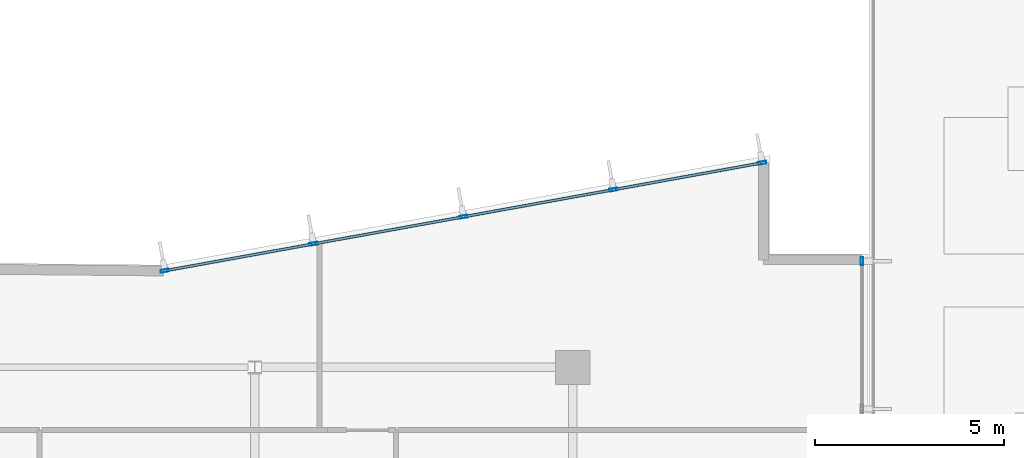
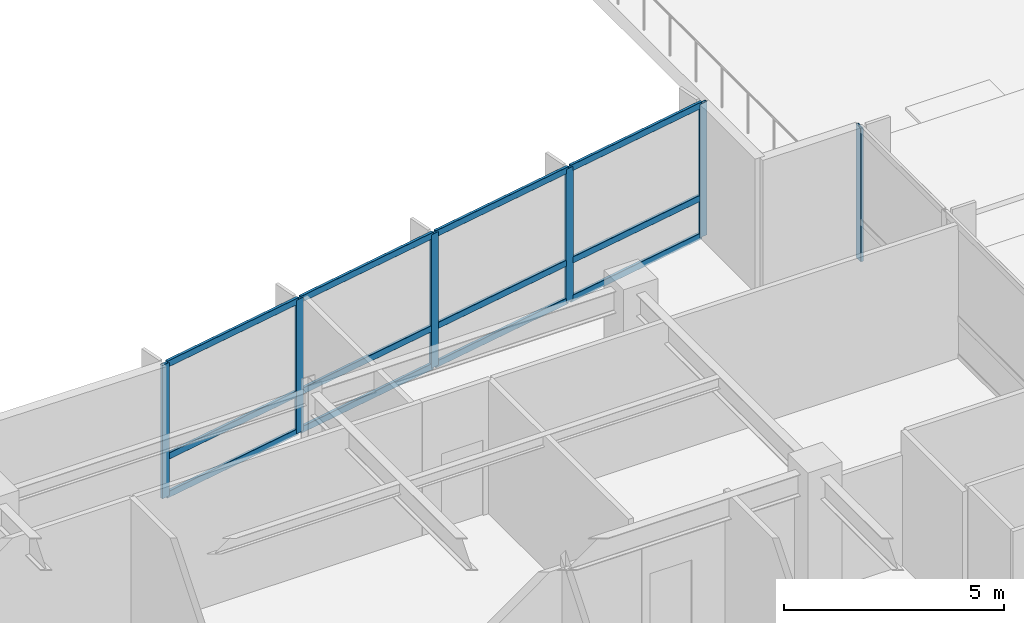
# One storey, part 8 of 20: 18 members, 2 elements without a shape of their own.
"""IFC4 building model written with IfcOpenShell, lengths in metres."""

from ifc_helpers import new_model, si_unit, direction, frame, origin, origin_2d, place, context, subcontext, project, spatial, hollow_rectangle, extrude, material, layer, layer_set, material_profile, profile_set, type_object, element, aggregate, save


model = new_model("IFC4")

# Units and contexts
model_context = context("Model", 3, precision=1e-05, world=origin(), true_north=direction((0.0, 1.0)))
body_context = subcontext(model_context, "Body", "Model", "MODEL_VIEW")
ifc_project = project(units=[si_unit("LENGTHUNIT", "METRE"), si_unit("AREAUNIT", "SQUARE_METRE"), si_unit("VOLUMEUNIT", "CUBIC_METRE"), si_unit("PLANEANGLEUNIT", "RADIAN"), si_unit("MASSUNIT", "GRAM", prefix="KILO")], contexts=[model_context])

# Site, building, storey
site_placement = place(None, origin())
site = spatial("IfcSite", under=ifc_project, at=site_placement, CompositionType="ELEMENT")
building_placement = place(site_placement, origin())
building = spatial("IfcBuilding", under=site, at=building_placement, Name="Varnakote Quay Hospital", CompositionType="ELEMENT")
storey_placement = place(building_placement, frame((0.0, 0.0, 22.5)))
storey = spatial("IfcBuildingStorey", under=building, at=storey_placement, Name="L05", CompositionType="ELEMENT", Elevation=22.5)

# Curtain wall, member
ifc_material_1 = material(Name="Anodised aluminium 6063-T6 Bronze", Category="aluminium")
ifc_layer = layer(ifc_material_1, 0.18994140625)
ifc_layer_set = layer_set([ifc_layer], Name="Anodised aluminium 6063-T6 Bronze")
curtain_wall_type = type_object("IfcCurtainWallType", Name="CW-SYS-2", PredefinedType="NOTDEFINED", material=ifc_layer_set)
curtain_wall_1_placement = place(storey_placement, origin())
curtain_wall_1 = element("IfcCurtainWall", 1, at=curtain_wall_1_placement, inside=storey, type_object=curtain_wall_type, Name="L05 Unitised Bronze Curtain Wall 1", PredefinedType="NOTDEFINED")
ifc_material_2 = material(Name="Anodised aluminium 6063-T6 Bronze", Category="aluminium")
ifc_material_profile_1 = material_profile(ifc_material_2, hollow_rectangle(XDim=0.074951171875, YDim=0.219970703125, WallThickness=0.00439453125, InnerFilletRadius=0.00439453125, OuterFilletRadius=0.009033203125, at=origin_2d()), Name="CW-MULL-220x75")
ifc_profile_set_1 = profile_set([ifc_material_profile_1], Name="Anodised aluminium 6063-T6 Bronze")
member_type_1 = type_object("IfcMemberType", Name="CW-MULL-220x75", PredefinedType="MULLION", material=ifc_profile_set_1)
member_1_placement = place(storey_placement, frame((58.0400390625, 31.6025390625, 0.0), z_axis=(0.0, 0.0, 1.0), x_axis=(-1.0, 0.0, 0.0)))
member_1 = element("IfcMember", 2, at=member_1_placement, type_object=member_type_1, Name="-2-L05-1 mullion 6", PredefinedType="MULLION", context=body_context, shape_type="SweptSolid", body=[
    extrude(hollow_rectangle(XDim=0.074951171875, YDim=0.219970703125, WallThickness=0.00439453125, InnerFilletRadius=0.00439453125, OuterFilletRadius=0.009033203125, at=origin_2d()), origin(), (0.0, 0.0, 1.0), 3.7099609375),
])
aggregate(curtain_wall_1, [member_1])

# Curtain wall, members
curtain_wall_2_placement = place(storey_placement, origin())
curtain_wall_2 = element("IfcCurtainWall", 3, at=curtain_wall_2_placement, inside=storey, type_object=curtain_wall_type, Name="L05 Unitised Bronze Curtain Wall 2", PredefinedType="NOTDEFINED")
member_2_placement = place(storey_placement, frame((55.403076171875, 34.201904296875, 0.0), z_axis=(0.0, 0.0, 1.0), x_axis=(0.177846199098, -0.984058295766, 0.0)))
member_2 = element("IfcMember", 4, at=member_2_placement, type_object=member_type_1, Name="-2-L05-2 mullion 1", PredefinedType="MULLION", context=body_context, shape_type="SweptSolid", body=[
    extrude(hollow_rectangle(XDim=0.074951171875, YDim=0.219970703125, WallThickness=0.00439453125, InnerFilletRadius=0.00439453125, OuterFilletRadius=0.009033203125, at=origin_2d()), origin(), (0.0, 0.0, 1.0), 3.7099609375),
])
member_3_placement = place(storey_placement, frame((51.477294921875, 33.492431640625, 0.0), z_axis=(0.0, 0.0, 1.0), x_axis=(0.177846199098, -0.984058295766, 0.0)))
member_3 = element("IfcMember", 5, at=member_3_placement, type_object=member_type_1, Name="-2-L05-2 mullion 2", PredefinedType="MULLION", context=body_context, shape_type="SweptSolid", body=[
    extrude(hollow_rectangle(XDim=0.074951171875, YDim=0.219970703125, WallThickness=0.00439453125, InnerFilletRadius=0.00439453125, OuterFilletRadius=0.009033203125, at=origin_2d()), origin(), (0.0, 0.0, 1.0), 3.7099609375),
])
member_4_placement = place(storey_placement, frame((47.514892578125, 32.776123046875, 0.0), z_axis=(0.0, 0.0, 1.0), x_axis=(0.177846199098, -0.984058295766, 0.0)))
member_4 = element("IfcMember", 6, at=member_4_placement, type_object=member_type_1, Name="-2-L05-2 mullion 3", PredefinedType="MULLION", context=body_context, shape_type="SweptSolid", body=[
    extrude(hollow_rectangle(XDim=0.074951171875, YDim=0.219970703125, WallThickness=0.00439453125, InnerFilletRadius=0.00439453125, OuterFilletRadius=0.009033203125, at=origin_2d()), origin(), (0.0, 0.0, 1.0), 3.7099609375),
])
member_5_placement = place(storey_placement, frame((43.55224609375, 32.06005859375, 0.0), z_axis=(0.0, 0.0, 1.0), x_axis=(0.177846199098, -0.984058295766, 0.0)))
member_5 = element("IfcMember", 7, at=member_5_placement, type_object=member_type_1, Name="-2-L05-2 mullion 4", PredefinedType="MULLION", context=body_context, shape_type="SweptSolid", body=[
    extrude(hollow_rectangle(XDim=0.074951171875, YDim=0.219970703125, WallThickness=0.00439453125, InnerFilletRadius=0.00439453125, OuterFilletRadius=0.009033203125, at=origin_2d()), origin(), (0.0, 0.0, 1.0), 3.7099609375),
])
member_6_placement = place(storey_placement, frame((39.62646484375, 31.3505859375, 0.0), z_axis=(0.0, 0.0, 1.0), x_axis=(0.177846199098, -0.984058295766, 0.0)))
member_6 = element("IfcMember", 8, at=member_6_placement, type_object=member_type_1, Name="-2-L05-2 mullion 5", PredefinedType="MULLION", context=body_context, shape_type="SweptSolid", body=[
    extrude(hollow_rectangle(XDim=0.074951171875, YDim=0.219970703125, WallThickness=0.00439453125, InnerFilletRadius=0.00439453125, OuterFilletRadius=0.009033203125, at=origin_2d()), origin(), (0.0, 0.0, 1.0), 3.7099609375),
])
ifc_material_3 = material(Name="Anodised aluminium 6063-T6 Bronze", Category="aluminium")
ifc_material_profile_2 = material_profile(ifc_material_3, hollow_rectangle(XDim=0.074951171875, YDim=0.179931640625, WallThickness=0.004150390625, InnerFilletRadius=0.004150390625, OuterFilletRadius=0.00830078125, at=origin_2d()), Name="CW-TRAN-180x75")
ifc_profile_set_2 = profile_set([ifc_material_profile_2], Name="Anodised aluminium 6063-T6 Bronze")
member_type_2 = type_object("IfcMemberType", Name="CW-TRAN-180x75", PredefinedType="USERDEFINED", material=ifc_profile_set_2)
member_7_placement = place(storey_placement, frame((55.3662109375, 34.195068359375, 0.03759765625), z_axis=(-0.984061948229, -0.177825988109, 0.0), x_axis=(0.177825988109, -0.984061948229, 0.0)))
member_7 = element("IfcMember", 9, at=member_7_placement, type_object=member_type_2, Name="-2-L05-2 transom 1.1", ObjectType="TRANSOM", PredefinedType="USERDEFINED", context=body_context, shape_type="SweptSolid", body=[
    extrude(hollow_rectangle(XDim=0.074951171875, YDim=0.179931640625, WallThickness=0.004150390625, InnerFilletRadius=0.004150390625, OuterFilletRadius=0.00830078125, at=origin_2d()), origin(), (0.0, 0.0, 1.0), 3.914306640625),
])
member_8_placement = place(storey_placement, frame((55.3662109375, 34.195068359375, 1.10009765625), z_axis=(-0.984061948229, -0.177825988109, 0.0), x_axis=(0.177825988109, -0.984061948229, 0.0)))
member_8 = element("IfcMember", 10, at=member_8_placement, type_object=member_type_2, Name="-2-L05-2 transom 1.2", ObjectType="TRANSOM", PredefinedType="USERDEFINED", context=body_context, shape_type="SweptSolid", body=[
    extrude(hollow_rectangle(XDim=0.074951171875, YDim=0.179931640625, WallThickness=0.004150390625, InnerFilletRadius=0.004150390625, OuterFilletRadius=0.00830078125, at=origin_2d()), origin(), (0.0, 0.0, 1.0), 3.914306640625),
])
member_9_placement = place(storey_placement, frame((55.3662109375, 34.195068359375, 3.672607421875), z_axis=(-0.984061948229, -0.177825988109, 0.0), x_axis=(0.177825988109, -0.984061948229, 0.0)))
member_9 = element("IfcMember", 11, at=member_9_placement, type_object=member_type_2, Name="-2-L05-2 transom 1.3", ObjectType="TRANSOM", PredefinedType="USERDEFINED", context=body_context, shape_type="SweptSolid", body=[
    extrude(hollow_rectangle(XDim=0.074951171875, YDim=0.179931640625, WallThickness=0.004150390625, InnerFilletRadius=0.004150390625, OuterFilletRadius=0.00830078125, at=origin_2d()), origin(), (0.0, 0.0, 1.0), 3.914306640625),
])
member_10_placement = place(storey_placement, frame((51.4404296875, 33.485595703125, 0.03759765625), z_axis=(-0.984065046829, -0.177808840079, 0.0), x_axis=(0.177808840079, -0.984065046829, 0.0)))
member_10 = element("IfcMember", 12, at=member_10_placement, type_object=member_type_2, Name="-2-L05-2 transom 2.1", ObjectType="TRANSOM", PredefinedType="USERDEFINED", context=body_context, shape_type="SweptSolid", body=[
    extrude(hollow_rectangle(XDim=0.074951171875, YDim=0.179931640625, WallThickness=0.004150390625, InnerFilletRadius=0.004150390625, OuterFilletRadius=0.00830078125, at=origin_2d()), origin(), (0.0, 0.0, 1.0), 3.95166015625),
])
member_11_placement = place(storey_placement, frame((51.4404296875, 33.485595703125, 1.10009765625), z_axis=(-0.984065046829, -0.177808840079, 0.0), x_axis=(0.177808840079, -0.984065046829, 0.0)))
member_11 = element("IfcMember", 13, at=member_11_placement, type_object=member_type_2, Name="-2-L05-2 transom 2.2", ObjectType="TRANSOM", PredefinedType="USERDEFINED", context=body_context, shape_type="SweptSolid", body=[
    extrude(hollow_rectangle(XDim=0.074951171875, YDim=0.179931640625, WallThickness=0.004150390625, InnerFilletRadius=0.004150390625, OuterFilletRadius=0.00830078125, at=origin_2d()), origin(), (0.0, 0.0, 1.0), 3.95166015625),
])
member_12_placement = place(storey_placement, frame((51.4404296875, 33.485595703125, 3.672607421875), z_axis=(-0.984065046829, -0.177808840079, 0.0), x_axis=(0.177808840079, -0.984065046829, 0.0)))
member_12 = element("IfcMember", 14, at=member_12_placement, type_object=member_type_2, Name="-2-L05-2 transom 2.3", ObjectType="TRANSOM", PredefinedType="USERDEFINED", context=body_context, shape_type="SweptSolid", body=[
    extrude(hollow_rectangle(XDim=0.074951171875, YDim=0.179931640625, WallThickness=0.004150390625, InnerFilletRadius=0.004150390625, OuterFilletRadius=0.00830078125, at=origin_2d()), origin(), (0.0, 0.0, 1.0), 3.95166015625),
])
member_13_placement = place(storey_placement, frame((47.477783203125, 32.76953125, 0.03759765625), z_axis=(-0.98405423478, -0.177868667876, 0.0), x_axis=(0.177868667876, -0.98405423478, 0.0)))
member_13 = element("IfcMember", 15, at=member_13_placement, type_object=member_type_2, Name="-2-L05-2 transom 3.1", ObjectType="TRANSOM", PredefinedType="USERDEFINED", context=body_context, shape_type="SweptSolid", body=[
    extrude(hollow_rectangle(XDim=0.074951171875, YDim=0.179931640625, WallThickness=0.004150390625, InnerFilletRadius=0.004150390625, OuterFilletRadius=0.00830078125, at=origin_2d()), origin(), (0.0, 0.0, 1.0), 3.95166015625),
])
member_14_placement = place(storey_placement, frame((47.477783203125, 32.76953125, 1.10009765625), z_axis=(-0.98405423478, -0.177868667876, 0.0), x_axis=(0.177868667876, -0.98405423478, 0.0)))
member_14 = element("IfcMember", 16, at=member_14_placement, type_object=member_type_2, Name="-2-L05-2 transom 3.2", ObjectType="TRANSOM", PredefinedType="USERDEFINED", context=body_context, shape_type="SweptSolid", body=[
    extrude(hollow_rectangle(XDim=0.074951171875, YDim=0.179931640625, WallThickness=0.004150390625, InnerFilletRadius=0.004150390625, OuterFilletRadius=0.00830078125, at=origin_2d()), origin(), (0.0, 0.0, 1.0), 3.95166015625),
])
member_15_placement = place(storey_placement, frame((47.477783203125, 32.76953125, 3.672607421875), z_axis=(-0.98405423478, -0.177868667876, 0.0), x_axis=(0.177868667876, -0.98405423478, 0.0)))
member_15 = element("IfcMember", 17, at=member_15_placement, type_object=member_type_2, Name="-2-L05-2 transom 3.3", ObjectType="TRANSOM", PredefinedType="USERDEFINED", context=body_context, shape_type="SweptSolid", body=[
    extrude(hollow_rectangle(XDim=0.074951171875, YDim=0.179931640625, WallThickness=0.004150390625, InnerFilletRadius=0.004150390625, OuterFilletRadius=0.00830078125, at=origin_2d()), origin(), (0.0, 0.0, 1.0), 3.95166015625),
])
member_16_placement = place(storey_placement, frame((43.515380859375, 32.053466796875, 0.03759765625), z_axis=(-0.984053005206, -0.177875470329, 0.0), x_axis=(0.177875470329, -0.984053005206, 0.0)))
member_16 = element("IfcMember", 18, at=member_16_placement, type_object=member_type_2, Name="-2-L05-2 transom 4.1", ObjectType="TRANSOM", PredefinedType="USERDEFINED", context=body_context, shape_type="SweptSolid", body=[
    extrude(hollow_rectangle(XDim=0.074951171875, YDim=0.179931640625, WallThickness=0.004150390625, InnerFilletRadius=0.004150390625, OuterFilletRadius=0.00830078125, at=origin_2d()), origin(), (0.0, 0.0, 1.0), 3.91455078125),
])
member_17_placement = place(storey_placement, frame((43.515380859375, 32.053466796875, 1.10009765625), z_axis=(-0.984053005206, -0.177875470329, 0.0), x_axis=(0.177875470329, -0.984053005206, 0.0)))
member_17 = element("IfcMember", 19, at=member_17_placement, type_object=member_type_2, Name="-2-L05-2 transom 4.2", ObjectType="TRANSOM", PredefinedType="USERDEFINED", context=body_context, shape_type="SweptSolid", body=[
    extrude(hollow_rectangle(XDim=0.074951171875, YDim=0.179931640625, WallThickness=0.004150390625, InnerFilletRadius=0.004150390625, OuterFilletRadius=0.00830078125, at=origin_2d()), origin(), (0.0, 0.0, 1.0), 3.91455078125),
])
member_18_placement = place(storey_placement, frame((43.515380859375, 32.053466796875, 3.672607421875), z_axis=(-0.984053005206, -0.177875470329, 0.0), x_axis=(0.177875470329, -0.984053005206, 0.0)))
member_18 = element("IfcMember", 20, at=member_18_placement, type_object=member_type_2, Name="-2-L05-2 transom 4.3", ObjectType="TRANSOM", PredefinedType="USERDEFINED", context=body_context, shape_type="SweptSolid", body=[
    extrude(hollow_rectangle(XDim=0.074951171875, YDim=0.179931640625, WallThickness=0.004150390625, InnerFilletRadius=0.004150390625, OuterFilletRadius=0.00830078125, at=origin_2d()), origin(), (0.0, 0.0, 1.0), 3.91455078125),
])
aggregate(curtain_wall_2, [member_2, member_3, member_4, member_5, member_6, member_7, member_8, member_9, member_10, member_11, member_12, member_13, member_14, member_15, member_16, member_17, member_18])

save(model, "model.ifc")
